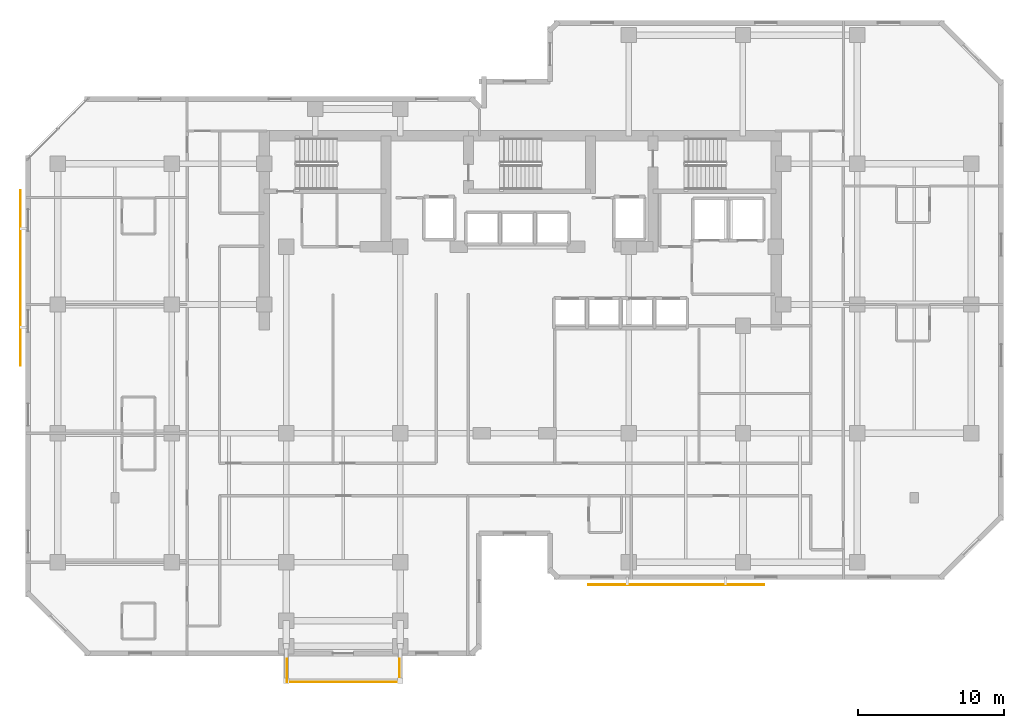
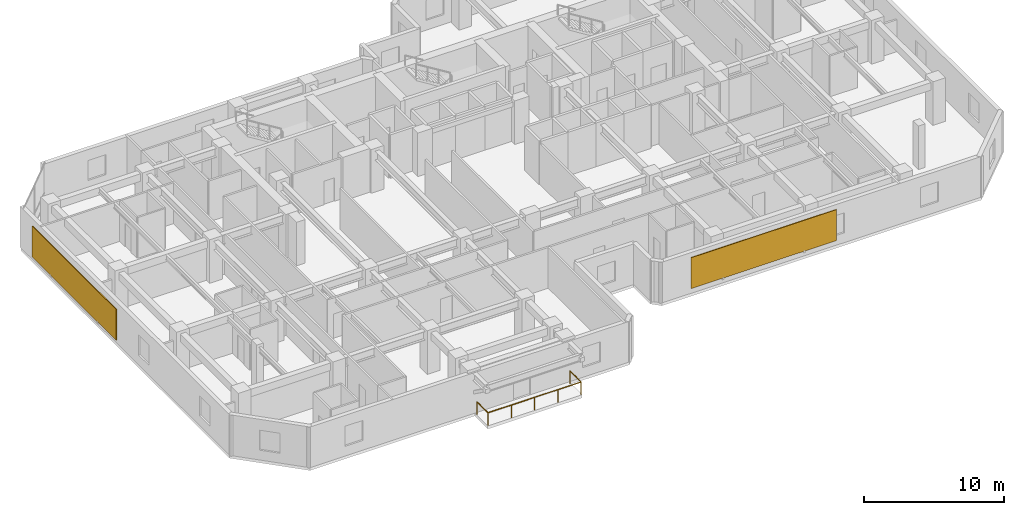
# One storey, part 10 of 11: 2 railings, 2 shading devices.
"""IFC4 building model written with IfcOpenShell, lengths in metres."""

from ifc_helpers import new_model, si_unit, direction, frame, origin, origin_2d, place, context, subcontext, project, spatial, rectangle, circle, extrude, material, layer, layer_set, type_object, element, save


model = new_model("IFC4")

# Units and contexts
model_context = context("Model", 3, precision=1e-05, world=origin(), true_north=direction((0.0, 1.0)))
body_context = subcontext(model_context, "Body", "Model", "MODEL_VIEW")
ifc_project = project(units=[si_unit("LENGTHUNIT", "METRE"), si_unit("AREAUNIT", "SQUARE_METRE"), si_unit("VOLUMEUNIT", "CUBIC_METRE"), si_unit("PLANEANGLEUNIT", "RADIAN"), si_unit("MASSUNIT", "GRAM", prefix="KILO")], contexts=[model_context])

# Site, building, storey
site_placement = place(None, origin())
site = spatial("IfcSite", under=ifc_project, at=site_placement, CompositionType="ELEMENT")
building_placement = place(site_placement, origin())
building = spatial("IfcBuilding", under=site, at=building_placement, Name="Kestravale Grand Hotel", CompositionType="ELEMENT")
storey_placement = place(building_placement, frame((0.0, 0.0, 165.0)))
storey = spatial("IfcBuildingStorey", under=building, at=storey_placement, Name="L41", CompositionType="ELEMENT", Elevation=165.0)

# Railings
ifc_material_1 = material(Name="Champagne-bronze stainless steel and laminated glass guard", Category="steel")
railing_type = type_object("IfcRailingType", Name="RL-EXT-1100", PredefinedType="GUARDRAIL", material=ifc_material_1)
railing_1_placement = place(storey_placement, frame((23.4599609375, 3.010009765625, 0.0)))
element("IfcRailing", 1, at=railing_1_placement, inside=storey, type_object=railing_type, Name="L41 outdoor terrace guard 1", PredefinedType="GUARDRAIL", context=body_context, shape_type="SweptSolid", body=[
    extrude(circle(Radius=0.02392578125, at=origin_2d()), frame((0.0, 0.0, 1.09619140625), z_axis=(0.0, 1.0, 0.0), x_axis=(-1.0, 0.0, 0.0)), (0.0, 0.0, 1.0), 1.570068359375),
    extrude(circle(Radius=0.02099609375, at=origin_2d()), origin(), (0.0, 0.0, 1.0), 1.072021484375),
    extrude(circle(Radius=0.02099609375, at=origin_2d()), frame((0.0, 1.570068359375, 0.0)), (0.0, 0.0, 1.0), 1.072021484375),
])
railing_2_placement = place(storey_placement, frame((31.139892578125, 4.580078125, 0.0)))
element("IfcRailing", 2, at=railing_2_placement, inside=storey, type_object=railing_type, Name="L41 outdoor terrace guard 2", PredefinedType="GUARDRAIL", context=body_context, shape_type="SweptSolid", body=[
    extrude(circle(Radius=0.02392578125, at=origin_2d()), frame((0.0, 0.0, 1.09619140625), z_axis=(0.0, -1.0, 0.0), x_axis=(1.0, 0.0, 0.0)), (0.0, 0.0, 1.0), 1.570068359375),
    extrude(circle(Radius=0.02392578125, at=origin_2d()), frame((0.0, -1.570068359375, 1.09619140625), z_axis=(-1.0, 0.0, 0.0), x_axis=(0.0, -1.0, 0.0)), (0.0, 0.0, 1.0), 7.679931640625),
    extrude(circle(Radius=0.02099609375, at=origin_2d()), origin(), (0.0, 0.0, 1.0), 1.072021484375),
    extrude(circle(Radius=0.02099609375, at=origin_2d()), frame((0.0, -1.570068359375, 0.0)), (0.0, 0.0, 1.0), 1.072021484375),
    extrude(circle(Radius=0.02099609375, at=origin_2d()), frame((-1.919921875, -1.570068359375, 0.0)), (0.0, 0.0, 1.0), 1.072021484375),
    extrude(circle(Radius=0.02099609375, at=origin_2d()), frame((-3.83984375, -1.570068359375, 0.0)), (0.0, 0.0, 1.0), 1.072021484375),
    extrude(circle(Radius=0.02099609375, at=origin_2d()), frame((-5.760009765625, -1.570068359375, 0.0)), (0.0, 0.0, 1.0), 1.072021484375),
    extrude(circle(Radius=0.02099609375, at=origin_2d()), frame((-7.679931640625, -1.570068359375, 0.0)), (0.0, 0.0, 1.0), 1.072021484375),
])

# Shading devices
ifc_material_2 = material(Name="Perforated champagne-bronze aluminium and ceramic solar screen", Category="aluminium")
ifc_layer = layer(ifc_material_2, 0.06494140625)
ifc_layer_set = layer_set([ifc_layer], Name="SHD-SCR-CHEV")
shading_device_type = type_object("IfcShadingDeviceType", Name="SHD-SCR-CHEV", PredefinedType="USERDEFINED", material=ifc_layer_set)
for number, where, z_axis, x_axis, name in (
    (3, (50.050048828125, 9.659912109375, 0.7001953125), (0.0, 0.0, 1.0), (1.0, 0.0, 0.0), "L41 Perforated bronze ceramic chevron solar screen SCR-L41-07"),
    (4, (5.260009765625, 30.60009765625, 0.7001953125), (0.0, 0.0, 1.0), (0.0, -1.0, 0.0), "L41 Perforated bronze ceramic chevron solar screen SCR-L41-19"),
):
    element("IfcShadingDevice", number, at=place(storey_placement, frame(where, z_axis=z_axis, x_axis=x_axis)), inside=storey, type_object=shading_device_type, Name=name, ObjectType="SCREEN", PredefinedType="USERDEFINED", context=body_context, shape_type="SweptSolid", body=[
        extrude(rectangle(XDim=12.0, YDim=0.06494140625, at=origin_2d()), origin(), (0.0, 0.0, 1.0), 2.699951171875),
    ])

save(model, "model.ifc")
